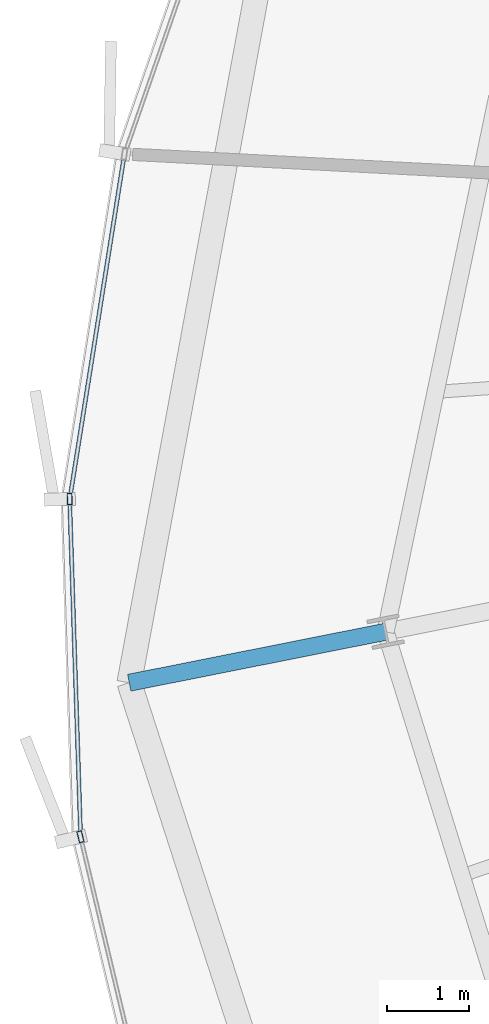
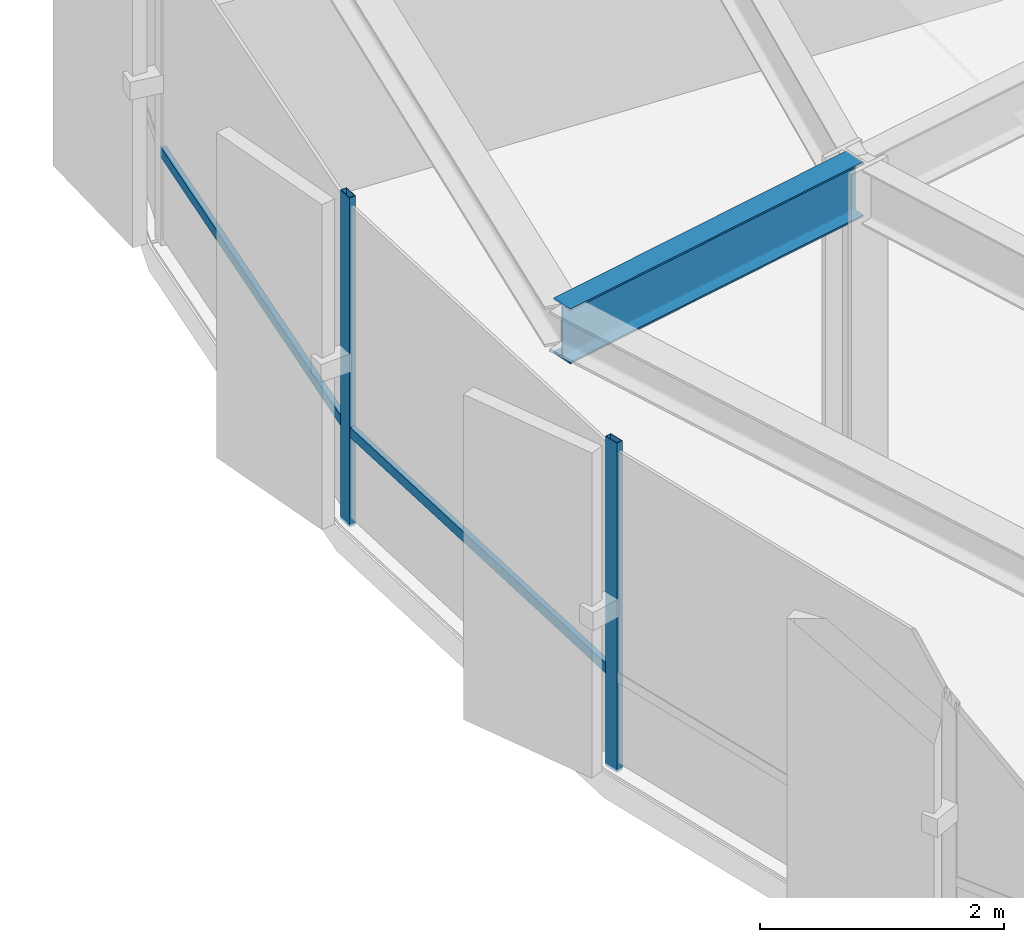
# One storey, part 8 of 32: 4 members, 1 beam, 1 element without a shape of its own.
"""IFC4 building model written with IfcOpenShell, lengths in metres."""

from ifc_helpers import new_model, si_unit, direction, frame, origin, origin_2d, place, context, subcontext, project, spatial, hollow_rectangle, i_section, extrude, source, transform, mapped, material, layer, layer_set, material_profile, profile_set, type_object, element, aggregate, save


model = new_model("IFC4")

# Units and contexts
model_context = context("Model", 3, precision=1e-05, world=origin(), true_north=direction((0.0, 1.0)))
body_context = subcontext(model_context, "Body", "Model", "MODEL_VIEW")
ifc_project = project(units=[si_unit("LENGTHUNIT", "METRE"), si_unit("AREAUNIT", "SQUARE_METRE"), si_unit("VOLUMEUNIT", "CUBIC_METRE"), si_unit("PLANEANGLEUNIT", "RADIAN"), si_unit("MASSUNIT", "GRAM", prefix="KILO"), si_unit("THERMODYNAMICTEMPERATUREUNIT", "KELVIN")], contexts=[model_context])

# Site, building, storey
site_placement = place(None, origin())
site = spatial("IfcSite", under=ifc_project, at=site_placement, CompositionType="ELEMENT")
building_placement = place(site_placement, origin())
building = spatial("IfcBuilding", under=site, at=building_placement, Name="Kethvar Cultural Tower", CompositionType="ELEMENT")
storey_placement = place(building_placement, frame((0.0, 0.0, 160.75)))
storey = spatial("IfcBuildingStorey", under=building, at=storey_placement, Name="L41", CompositionType="ELEMENT", Elevation=160.75)

# Beam
ifc_material_1 = material(Name="Steel S355J2", Category="steel")
ifc_material_profile_1 = material_profile(ifc_material_1, i_section(OverallWidth=0.2099609375, OverallDepth=0.550048828125, WebThickness=0.010986328125, FlangeThickness=0.01708984375, FilletRadius=0.02392578125, at=origin_2d()), Name="Steel S355J2 — IPE550")
ifc_profile_set_1 = profile_set([ifc_material_profile_1], Name="Steel S355J2 — IPE550")
beam_type = type_object("IfcBeamType", Name="BM-IPE550", PredefinedType="BEAM", material=ifc_profile_set_1)
shared_shape_1 = source(origin(), body_context, "Body", "SweptSolid", [
    extrude(i_section(OverallWidth=0.2099609375, OverallDepth=0.550048828125, WebThickness=0.010986328125, FlangeThickness=0.01708984375, FilletRadius=0.02392578125, at=origin_2d()), origin(), (0.0, 0.0, 1.0), 3.199951171875),
])
beam_placement = place(storey_placement, frame((24.185302734375, 23.3017578125, 3.02294921875), z_axis=(-0.980785550224, -0.195088965533, 0.0), x_axis=(0.195088965533, -0.980785550224, 0.0)))
element("IfcBeam", 1, at=beam_placement, inside=storey, type_object=beam_type, Name="L41 Perimeter Cantilever Beam RC-09", PredefinedType="BEAM", context=body_context, shape_type="MappedRepresentation", body=[
    mapped(shared_shape_1, transform((0.0, 0.0, 0.0), scale=1.0)),
])

# Curtain wall, members
ifc_material_2 = material(Name="Aluminium 6063-T6", Category="aluminium")
ifc_layer = layer(ifc_material_2, 0.179931640625, Name="Aluminium 6063-T6", Category="aluminium")
ifc_layer_set = layer_set([ifc_layer], Name="Aluminium 6063-T6 (180 mm)")
curtain_wall_type = type_object("IfcCurtainWallType", Name="CW-SYS-04-Z34", PredefinedType="NOTDEFINED", material=ifc_layer_set)
curtain_wall_placement = place(storey_placement, origin())
curtain_wall = element("IfcCurtainWall", 2, at=curtain_wall_placement, inside=storey, type_object=curtain_wall_type, Name="L41 Curtain Wall Run 03", PredefinedType="NOTDEFINED")
ifc_material_profile_2 = material_profile(ifc_material_2, hollow_rectangle(XDim=0.06005859375, YDim=0.139892578125, WallThickness=0.0048828125, at=origin_2d()), Name="Aluminium 6063-T6 — RHS140x60x5")
ifc_profile_set_2 = profile_set([ifc_material_profile_2], Name="Aluminium 6063-T6 — RHS140x60x5")
member_type_1 = type_object("IfcMemberType", Name="CW-SYS-04-Z34-MUL", PredefinedType="MULLION", material=ifc_profile_set_2)
shared_shape_2 = source(origin(), body_context, "Body", "SweptSolid", [
    extrude(hollow_rectangle(XDim=0.06005859375, YDim=0.139892578125, WallThickness=0.0048828125, at=origin_2d()), origin(), (0.0, 0.0, 1.0), 3.300048828125),
])
member_1_placement = place(storey_placement, frame((20.3173828125, 24.927978515625, 0.0), z_axis=(0.0, 0.0, 1.0), x_axis=(0.99946914618, 0.032579530921, 0.0)))
member_1 = element("IfcMember", 3, at=member_1_placement, type_object=member_type_1, Name="CW-L41-R03 Mullion 4", PredefinedType="MULLION", context=body_context, shape_type="MappedRepresentation", body=[
    mapped(shared_shape_2, transform((0.0, 0.0, 0.0), scale=1.0)),
])
member_2_placement = place(storey_placement, frame((20.449951171875, 20.79248046875, 0.0), z_axis=(0.0, 0.0, 1.0), x_axis=(0.972775878209, 0.231747903494, 0.0)))
member_2 = element("IfcMember", 4, at=member_2_placement, type_object=member_type_1, Name="CW-L41-R03 Mullion 5", PredefinedType="MULLION", context=body_context, shape_type="MappedRepresentation", body=[
    mapped(shared_shape_2, transform((0.0, 0.0, 0.0), scale=1.0)),
])
ifc_material_profile_3 = material_profile(ifc_material_2, hollow_rectangle(XDim=0.050048828125, YDim=0.10009765625, WallThickness=0.00390625, at=origin_2d()), Name="Aluminium 6063-T6 — RHS100x50x4")
ifc_profile_set_3 = profile_set([ifc_material_profile_3], Name="Aluminium 6063-T6 — RHS100x50x4")
member_type_2 = type_object("IfcMemberType", Name="CW-SYS-04-Z34-TRN", PredefinedType="USERDEFINED", material=ifc_profile_set_3)
shared_shape_3 = source(origin(), body_context, "Body", "SweptSolid", [
    extrude(hollow_rectangle(XDim=0.050048828125, YDim=0.10009765625, WallThickness=0.00390625, at=origin_2d()), origin(), (0.0, 0.0, 1.0), 4.2109375),
])
member_3_placement = place(storey_placement, frame((20.981689453125, 29.10888671875, 0.949951171875), z_axis=(-0.156477599756, -0.987681507762, 0.0), x_axis=(0.987681507762, -0.156477599756, 0.0)))
member_3 = element("IfcMember", 5, at=member_3_placement, type_object=member_type_2, Name="CW-L41-R03 Transom 3", ObjectType="TRANSOM", PredefinedType="USERDEFINED", context=body_context, shape_type="MappedRepresentation", body=[
    mapped(shared_shape_3, transform((0.0, 0.0, 0.0), scale=1.0)),
])
shared_shape_4 = source(origin(), body_context, "Body", "SweptSolid", [
    extrude(hollow_rectangle(XDim=0.050048828125, YDim=0.10009765625, WallThickness=0.00390625, at=origin_2d()), origin(), (0.0, 0.0, 1.0), 4.072998046875),
])
member_4_placement = place(storey_placement, frame((20.318603515625, 24.884765625, 0.949951171875), z_axis=(0.032608294665, -0.999468208158, 0.0), x_axis=(0.999468208158, 0.032608294665, 0.0)))
member_4 = element("IfcMember", 6, at=member_4_placement, type_object=member_type_2, Name="CW-L41-R03 Transom 4", ObjectType="TRANSOM", PredefinedType="USERDEFINED", context=body_context, shape_type="MappedRepresentation", body=[
    mapped(shared_shape_4, transform((0.0, 0.0, 0.0), scale=1.0)),
])
aggregate(curtain_wall, [member_1, member_2, member_3, member_4])

save(model, "model.ifc")
